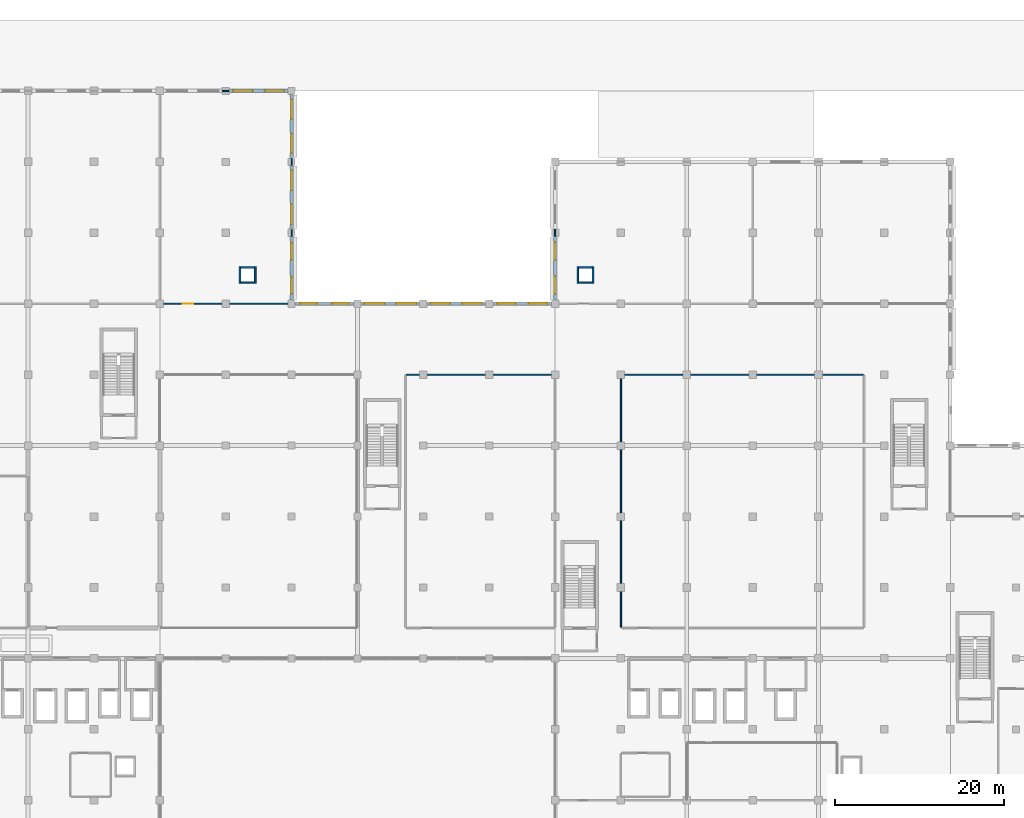
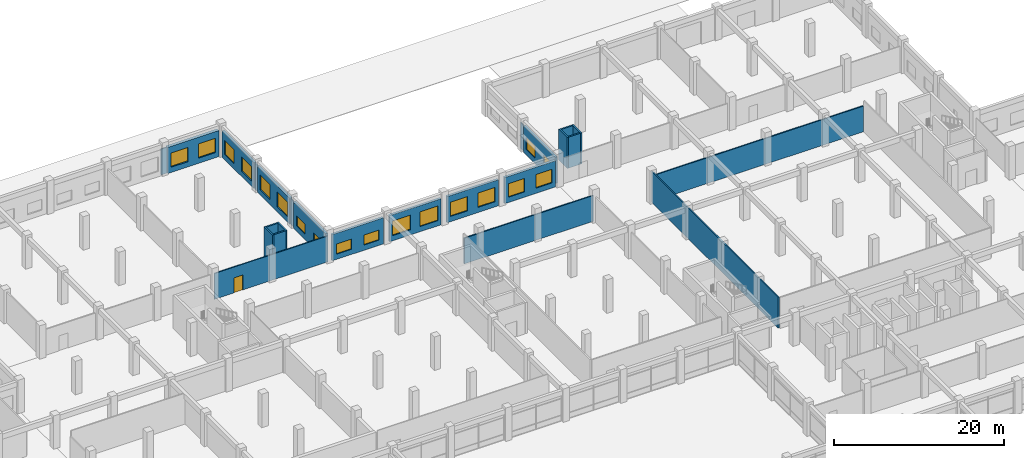
# One storey, part 54 of 74: 25 walls, 18 windows, 1 door, 19 openings.
"""IFC4 building model written with IfcOpenShell, lengths in metres."""

from ifc_helpers import new_model, si_unit, direction, frame, frame_2d, origin, place, context, subcontext, project, spatial, rectangle, extrude, material, layer, layer_set, type_object, element, fill, save


model = new_model("IFC4")

# Units and contexts
model_context = context("Model", 3, precision=1e-05, world=origin(), true_north=direction((0.0, 1.0)))
body_context = subcontext(model_context, "Body", "Model", "MODEL_VIEW")
ifc_project = project(units=[si_unit("LENGTHUNIT", "METRE"), si_unit("AREAUNIT", "SQUARE_METRE"), si_unit("VOLUMEUNIT", "CUBIC_METRE"), si_unit("PLANEANGLEUNIT", "RADIAN"), si_unit("MASSUNIT", "GRAM", prefix="KILO"), si_unit("THERMODYNAMICTEMPERATUREUNIT", "KELVIN"), si_unit("POWERUNIT", "WATT")], contexts=[model_context])

# Site, building, storey
site_placement = place(None, origin())
site = spatial("IfcSite", under=ifc_project, at=site_placement, CompositionType="ELEMENT")
building_placement = place(site_placement, origin())
building = spatial("IfcBuilding", under=site, at=building_placement, Name="Srebrne Nadtorze General Hospital", CompositionType="ELEMENT")
storey_placement = place(building_placement, origin())
storey = spatial("IfcBuildingStorey", under=building, at=storey_placement, Name="L00", CompositionType="ELEMENT", Elevation=0.0)

# Wall, openings, windows
ifc_material_1 = material(Name="Concrete C40/50", Category="concrete")
ifc_layer_1 = layer(ifc_material_1, 0.419921875)
ifc_layer_set_1 = layer_set([ifc_layer_1], Name="Concrete C40/50")
wall_type_1 = type_object("IfcWallType", Name="Acoustic buffer wall 420", PredefinedType="SOLIDWALL", material=ifc_layer_set_1)
wall_1_placement = place(storey_placement, frame((62.824951171875, 117.60009765625, 0.0), z_axis=(0.0, 0.0, 1.0), x_axis=(1.0, 0.0, 0.0)))
wall_1 = element("IfcWall", 1, at=wall_1_placement, inside=storey, type_object=wall_type_1, Name="Exterior wall WL-ENV-L00-0118", PredefinedType="SOLIDWALL", context=body_context, shape_type="SweptSolid", body=[
    extrude(rectangle(XDim=6.949951171875, YDim=0.419921875, at=frame_2d((3.47509765625, 0.0))), origin(), (0.0, 0.0, 1.0), 3.75),
])
opening_1_placement = place(wall_1_placement, frame((0.452880859375, 0.0, 0.75)))
opening_1 = element("IfcOpeningElement", 2, at=opening_1_placement, cuts=wall_1, Name="Opening WN-L00-0071", PredefinedType="OPENING", context=body_context, shape_type="SweptSolid", body=[
    extrude(rectangle(XDim=2.300048828125, YDim=2.050048828125, at=frame_2d((1.14990234375, 1.02490234375))), frame((0.0, 0.221923828125, 0.0), z_axis=(0.0, -1.0, 0.0), x_axis=(1.0, 0.0, 0.0)), (0.0, 0.0, 1.0), 0.44384765625),
])
opening_2_placement = place(wall_1_placement, frame((4.197021484375, 0.0, 0.75)))
opening_2 = element("IfcOpeningElement", 3, at=opening_2_placement, cuts=wall_1, Name="Opening WN-L00-0072", PredefinedType="OPENING", context=body_context, shape_type="SweptSolid", body=[
    extrude(rectangle(XDim=2.300048828125, YDim=2.050048828125, at=frame_2d((1.14990234375, 1.02490234375))), frame((0.0, 0.221923828125, 0.0), z_axis=(0.0, -1.0, 0.0), x_axis=(1.0, 0.0, 0.0)), (0.0, 0.0, 1.0), 0.44384765625),
])
ifc_material_2 = material(Name="Triple Low-E Glazing", Category="glass")
window_type_1 = type_object("IfcWindowType", Name="Punched clinical window 2300x2050", PartitioningType="DOUBLE_PANEL_VERTICAL", PredefinedType="WINDOW", material=ifc_material_2)
window_1_placement = place(opening_1_placement, origin())
window_1 = element("IfcWindow", 4, at=window_1_placement, inside=storey, type_object=window_type_1, Name="Clinical window WN-L00-0071", OverallHeight=2.050048828125, OverallWidth=2.300048828125, PartitioningType="DOUBLE_PANEL_VERTICAL", PredefinedType="WINDOW", context=body_context, shape_type="SweptSolid", body=[
    extrude(rectangle(XDim=2.300048828125, YDim=2.050048828125, at=frame_2d((1.14990234375, 1.02490234375))), frame((0.0, 0.030029296875, 0.0), z_axis=(0.0, -1.0, 0.0), x_axis=(1.0, 0.0, 0.0)), (0.0, 0.0, 1.0), 0.06005859375),
])
fill(opening_1, window_1)
window_2_placement = place(opening_2_placement, origin())
window_2 = element("IfcWindow", 5, at=window_2_placement, inside=storey, type_object=window_type_1, Name="Clinical window WN-L00-0072", OverallHeight=2.050048828125, OverallWidth=2.300048828125, PartitioningType="DOUBLE_PANEL_VERTICAL", PredefinedType="WINDOW", context=body_context, shape_type="SweptSolid", body=[
    extrude(rectangle(XDim=2.300048828125, YDim=2.050048828125, at=frame_2d((1.14990234375, 1.02490234375))), frame((0.0, 0.030029296875, 0.0), z_axis=(0.0, -1.0, 0.0), x_axis=(1.0, 0.0, 0.0)), (0.0, 0.0, 1.0), 0.06005859375),
])
fill(opening_2, window_2)

# Wall, opening, door
ifc_material_3 = material(Name="Gypsum Healthcare Partition")
ifc_layer_2 = layer(ifc_material_3, 0.139892578125)
ifc_layer_set_2 = layer_set([ifc_layer_2], Name="Gypsum Healthcare Partition")
wall_type_2 = type_object("IfcWallType", Name="Clinical partition 140", PredefinedType="PARTITIONING", material=ifc_layer_set_2)
wall_2_placement = place(storey_placement, frame((54.68505859375, 92.39990234375, 0.0), z_axis=(0.0, 0.0, 1.0), x_axis=(1.0, 0.0, 0.0)))
wall_2 = element("IfcWall", 6, at=wall_2_placement, inside=storey, type_object=wall_type_2, Name="Acute Medical Assessment Unit wall WL-INT-L00-1326", PredefinedType="PARTITIONING", context=body_context, shape_type="SweptSolid", body=[
    extrude(rectangle(XDim=15.429931640625, YDim=0.139892578125, at=frame_2d((7.71484375, 0.0))), origin(), (0.0, 0.0, 1.0), 3.699951171875),
])
opening_3_placement = place(wall_2_placement, frame((2.652587890625, 0.0, 0.0)))
opening_3 = element("IfcOpeningElement", 7, at=opening_3_placement, cuts=wall_2, Name="Opening D-L00-0197", PredefinedType="OPENING", context=body_context, shape_type="SweptSolid", body=[
    extrude(rectangle(XDim=1.199951171875, YDim=2.14990234375, at=frame_2d((0.60009765625, 1.074951171875))), frame((0.0, 0.08203125, 0.0), z_axis=(0.0, -1.0, 0.0), x_axis=(1.0, 0.0, 0.0)), (0.0, 0.0, 1.0), 0.163818359375),
])
ifc_material_4 = material(Name="Anodised Aluminium", Category="aluminium")
door_type = type_object("IfcDoorType", Name="Single leaf door 1200x2150", OperationType="NOTDEFINED", PredefinedType="DOOR", material=ifc_material_4)
door_placement = place(opening_3_placement, origin())
door = element("IfcDoor", 8, at=door_placement, inside=storey, type_object=door_type, Name="Acute Medical Assessment Unit door D-L00-0197", OperationType="SINGLE_SWING_LEFT", OverallHeight=2.14990234375, OverallWidth=1.199951171875, PredefinedType="DOOR", context=body_context, shape_type="SweptSolid", body=[
    extrude(rectangle(XDim=1.199951171875, YDim=2.14990234375, at=frame_2d((0.60009765625, 1.074951171875))), frame((0.0, 0.02490234375, 0.0), z_axis=(0.0, -1.0, 0.0), x_axis=(1.0, 0.0, 0.0)), (0.0, 0.0, 1.0), 0.050048828125),
])
fill(opening_3, door)

# Walls
for number, where, z_axis, x_axis, name in (
    (9, (62.014892578125, 117.60009765625, 0.0), (0.0, 0.0, 1.0), (1.0, 0.0, 0.0), "Acute Medical Assessment Unit wall WL-INT-L00-1327"),
    (10, (70.199951171875, 100.4150390625, 0.0), (0.0, 0.0, 1.0), (0.0, 1.0, 0.0), "Acute Medical Assessment Unit wall WL-INT-L00-1328"),
    (11, (70.199951171875, 108.81494140625, 0.0), (0.0, 0.0, 1.0), (0.0, 1.0, 0.0), "Acute Medical Assessment Unit wall WL-INT-L00-1329"),
):
    element("IfcWall", number, at=place(storey_placement, frame(where, z_axis=z_axis, x_axis=x_axis)), inside=storey, type_object=wall_type_2, Name=name, PredefinedType="PARTITIONING", context=body_context, shape_type="SweptSolid", body=[
        extrude(rectangle(XDim=0.77001953125, YDim=0.139892578125, at=frame_2d((0.385009765625, 0.0))), origin(), (0.0, 0.0, 1.0), 3.699951171875),
    ])
wall_3_placement = place(storey_placement, frame((101.39990234375, 100.389892578125, 0.0), z_axis=(0.0, 0.0, 1.0), x_axis=(0.0, 1.0, 0.0)))
element("IfcWall", 12, at=wall_3_placement, inside=storey, type_object=wall_type_2, Name="Central Goods Store wall WL-INT-L00-1341", PredefinedType="PARTITIONING", context=body_context, shape_type="SweptSolid", body=[
    extrude(rectangle(XDim=0.820068359375, YDim=0.139892578125, at=frame_2d((0.41015625, 0.0))), origin(), (0.0, 0.0, 1.0), 3.699951171875),
])
ifc_material_5 = material(Name="Gypsum Healthcare Partition")
ifc_layer_3 = layer(ifc_material_5, 0.159912109375)
ifc_layer_set_3 = layer_set([ifc_layer_3], Name="Gypsum Healthcare Partition")
wall_type_3 = type_object("IfcWallType", Name="Clinical partition 160", PredefinedType="PARTITIONING", material=ifc_layer_set_3)
wall_4_placement = place(storey_placement, frame((83.760009765625, 84.0, 0.0), z_axis=(0.0, 0.0, 1.0), x_axis=(1.0, 0.0, 0.0)))
element("IfcWall", 13, at=wall_4_placement, inside=storey, type_object=wall_type_3, Name="Emergency Plaster and Fracture Clinic wall WL-INT-L00-1335", PredefinedType="PARTITIONING", context=body_context, shape_type="SweptSolid", body=[
    extrude(rectangle(XDim=17.554931640625, YDim=0.159912109375, at=frame_2d((8.77734375, 0.0))), origin(), (0.0, 0.0, 1.0), 3.699951171875),
])
wall_5_placement = place(storey_placement, frame((109.284912109375, 84.0, 0.0), z_axis=(0.0, 0.0, 1.0), x_axis=(1.0, 0.0, 0.0)))
element("IfcWall", 14, at=wall_5_placement, inside=storey, type_object=wall_type_3, Name="Clinical Blood Bank and Transfusion wall WL-INT-L00-1348", PredefinedType="PARTITIONING", context=body_context, shape_type="SweptSolid", body=[
    extrude(rectangle(XDim=28.630126953125, YDim=0.159912109375, at=frame_2d((14.31494140625, 0.0))), origin(), (0.0, 0.0, 1.0), 3.699951171875),
])
wall_6_placement = place(storey_placement, frame((109.199951171875, 54.0849609375, 0.0), z_axis=(0.0, 0.0, 1.0), x_axis=(0.0, 1.0, 0.0)))
element("IfcWall", 15, at=wall_6_placement, inside=storey, type_object=wall_type_3, Name="Clinical Blood Bank and Transfusion wall WL-INT-L00-1349", PredefinedType="PARTITIONING", context=body_context, shape_type="SweptSolid", body=[
    extrude(rectangle(XDim=29.830078125, YDim=0.159912109375, at=frame_2d((14.9150390625, 0.0))), origin(), (0.0, 0.0, 1.0), 4.429931640625),
])
ifc_material_6 = material(Name="Gypsum Healthcare Partition")
ifc_layer_4 = layer(ifc_material_6, 0.199951171875)
ifc_layer_set_4 = layer_set([ifc_layer_4], Name="Gypsum Healthcare Partition")
wall_type_4 = type_object("IfcWallType", Name="Compartment wall 200", PredefinedType="STANDARD", material=ifc_layer_set_4)
for number, where, z_axis, x_axis, name in (
    (16, (64.10009765625, 94.800048828125, 0.0), (0.0, 0.0, 1.0), (0.0, 1.0, 0.0), "MEP riser wall WL-INT-L00-0920"),
    (17, (65.89990234375, 94.800048828125, 0.0), (0.0, 0.0, 1.0), (0.0, 1.0, 0.0), "MEP riser wall WL-INT-L00-0921"),
):
    element("IfcWall", number, at=place(storey_placement, frame(where, z_axis=z_axis, x_axis=x_axis)), inside=storey, type_object=wall_type_4, Name=name, PredefinedType="STANDARD", context=body_context, shape_type="SweptSolid", body=[
        extrude(rectangle(XDim=2.0, YDim=0.199951171875, at=frame_2d((1.0, 0.0))), origin(), (0.0, 0.0, 1.0), 4.449951171875),
    ])
for number, where, z_axis, x_axis, name in (
    (18, (64.199951171875, 94.89990234375, 0.0), (0.0, 0.0, 1.0), (1.0, 0.0, 0.0), "MEP riser wall WL-INT-L00-0922"),
    (19, (64.199951171875, 96.699951171875, 0.0), (0.0, 0.0, 1.0), (1.0, 0.0, 0.0), "MEP riser wall WL-INT-L00-0923"),
):
    element("IfcWall", number, at=place(storey_placement, frame(where, z_axis=z_axis, x_axis=x_axis)), inside=storey, type_object=wall_type_4, Name=name, PredefinedType="STANDARD", context=body_context, shape_type="SweptSolid", body=[
        extrude(rectangle(XDim=1.60009765625, YDim=0.199951171875, at=frame_2d((0.800048828125, 0.0))), origin(), (0.0, 0.0, 1.0), 4.449951171875),
    ])
for number, where, z_axis, x_axis, name in (
    (20, (104.10009765625, 94.800048828125, 0.0), (0.0, 0.0, 1.0), (0.0, 1.0, 0.0), "MEP riser wall WL-INT-L00-0924"),
    (21, (105.89990234375, 94.800048828125, 0.0), (0.0, 0.0, 1.0), (0.0, 1.0, 0.0), "MEP riser wall WL-INT-L00-0925"),
):
    element("IfcWall", number, at=place(storey_placement, frame(where, z_axis=z_axis, x_axis=x_axis)), inside=storey, type_object=wall_type_4, Name=name, PredefinedType="STANDARD", context=body_context, shape_type="SweptSolid", body=[
        extrude(rectangle(XDim=2.0, YDim=0.199951171875, at=frame_2d((1.0, 0.0))), origin(), (0.0, 0.0, 1.0), 4.449951171875),
    ])
for number, where, z_axis, x_axis, name in (
    (22, (104.199951171875, 94.89990234375, 0.0), (0.0, 0.0, 1.0), (1.0, 0.0, 0.0), "MEP riser wall WL-INT-L00-0926"),
    (23, (104.199951171875, 96.699951171875, 0.0), (0.0, 0.0, 1.0), (1.0, 0.0, 0.0), "MEP riser wall WL-INT-L00-0927"),
):
    element("IfcWall", number, at=place(storey_placement, frame(where, z_axis=z_axis, x_axis=x_axis)), inside=storey, type_object=wall_type_4, Name=name, PredefinedType="STANDARD", context=body_context, shape_type="SweptSolid", body=[
        extrude(rectangle(XDim=1.60009765625, YDim=0.199951171875, at=frame_2d((0.800048828125, 0.0))), origin(), (0.0, 0.0, 1.0), 4.449951171875),
    ])

# Wall, openings, windows
ifc_material_7 = material(Name="Concrete C35/45", Category="concrete")
ifc_layer_5 = layer(ifc_material_7, 0.320068359375)
ifc_layer_set_5 = layer_set([ifc_layer_5], Name="Concrete C35/45")
wall_type_5 = type_object("IfcWallType", Name="Spandrel wall 320", PredefinedType="STANDARD", material=ifc_layer_set_5)
wall_7_placement = place(storey_placement, frame((70.625, 92.39990234375, 0.0), z_axis=(0.0, 0.0, 1.0), x_axis=(1.0, 0.0, 0.0)))
wall_7 = element("IfcWall", 24, at=wall_7_placement, inside=storey, type_object=wall_type_5, Name="Exterior wall WL-ENV-L00-0103", PredefinedType="STANDARD", context=body_context, shape_type="SweptSolid", body=[
    extrude(rectangle(XDim=6.949951171875, YDim=0.320068359375, at=frame_2d((3.47509765625, 0.0))), origin(), (0.0, 0.0, 1.0), 3.75),
])
opening_4_placement = place(wall_7_placement, frame((0.60302734375, 0.0, 0.75)))
opening_4 = element("IfcOpeningElement", 25, at=opening_4_placement, cuts=wall_7, Name="Opening WN-L00-0053", PredefinedType="OPENING", context=body_context, shape_type="SweptSolid", body=[
    extrude(rectangle(XDim=2.0, YDim=1.449951171875, at=frame_2d((1.0, 0.72509765625))), frame((0.0, 0.171875, 0.0), z_axis=(0.0, -1.0, 0.0), x_axis=(1.0, 0.0, 0.0)), (0.0, 0.0, 1.0), 0.343994140625),
])
opening_5_placement = place(wall_7_placement, frame((4.346923828125, 0.0, 0.75)))
opening_5 = element("IfcOpeningElement", 26, at=opening_5_placement, cuts=wall_7, Name="Opening WN-L00-0054", PredefinedType="OPENING", context=body_context, shape_type="SweptSolid", body=[
    extrude(rectangle(XDim=2.0, YDim=1.449951171875, at=frame_2d((1.0, 0.72509765625))), frame((0.0, 0.171875, 0.0), z_axis=(0.0, -1.0, 0.0), x_axis=(1.0, 0.0, 0.0)), (0.0, 0.0, 1.0), 0.343994140625),
])
ifc_material_8 = material(Name="Triple Low-E Glazing", Category="glass")
window_type_2 = type_object("IfcWindowType", Name="Punched clinical window 2000x1450", PartitioningType="DOUBLE_PANEL_VERTICAL", PredefinedType="WINDOW", material=ifc_material_8)
window_3_placement = place(opening_4_placement, origin())
window_3 = element("IfcWindow", 27, at=window_3_placement, inside=storey, type_object=window_type_2, Name="Clinical window WN-L00-0053", OverallHeight=1.449951171875, OverallWidth=2.0, PartitioningType="DOUBLE_PANEL_VERTICAL", PredefinedType="WINDOW", context=body_context, shape_type="SweptSolid", body=[
    extrude(rectangle(XDim=2.0, YDim=1.449951171875, at=frame_2d((1.0, 0.72509765625))), frame((0.0, 0.030029296875, 0.0), z_axis=(0.0, -1.0, 0.0), x_axis=(1.0, 0.0, 0.0)), (0.0, 0.0, 1.0), 0.06005859375),
])
fill(opening_4, window_3)
window_4_placement = place(opening_5_placement, origin())
window_4 = element("IfcWindow", 28, at=window_4_placement, inside=storey, type_object=window_type_2, Name="Clinical window WN-L00-0054", OverallHeight=1.449951171875, OverallWidth=2.0, PartitioningType="DOUBLE_PANEL_VERTICAL", PredefinedType="WINDOW", context=body_context, shape_type="SweptSolid", body=[
    extrude(rectangle(XDim=2.0, YDim=1.449951171875, at=frame_2d((1.0, 0.72509765625))), frame((0.0, 0.030029296875, 0.0), z_axis=(0.0, -1.0, 0.0), x_axis=(1.0, 0.0, 0.0)), (0.0, 0.0, 1.0), 0.06005859375),
])
fill(opening_5, window_4)

wall_8_placement = place(storey_placement, frame((78.425048828125, 92.39990234375, 0.0), z_axis=(0.0, 0.0, 1.0), x_axis=(1.0, 0.0, 0.0)))
wall_8 = element("IfcWall", 29, at=wall_8_placement, inside=storey, type_object=wall_type_5, Name="Exterior wall WL-ENV-L00-0104", PredefinedType="STANDARD", context=body_context, shape_type="SweptSolid", body=[
    extrude(rectangle(XDim=6.949951171875, YDim=0.320068359375, at=frame_2d((3.47509765625, 0.0))), origin(), (0.0, 0.0, 1.0), 3.75),
])
opening_6_placement = place(wall_8_placement, frame((0.403076171875, 0.0, 0.75)))
opening_6 = element("IfcOpeningElement", 30, at=opening_6_placement, cuts=wall_8, Name="Opening WN-L00-0055", PredefinedType="OPENING", context=body_context, shape_type="SweptSolid", body=[
    extrude(rectangle(XDim=2.39990234375, YDim=2.10009765625, at=frame_2d((1.199951171875, 1.050048828125))), frame((0.0, 0.171875, 0.0), z_axis=(0.0, -1.0, 0.0), x_axis=(1.0, 0.0, 0.0)), (0.0, 0.0, 1.0), 0.343994140625),
])
opening_7_placement = place(wall_8_placement, frame((4.14697265625, 0.0, 0.75)))
opening_7 = element("IfcOpeningElement", 31, at=opening_7_placement, cuts=wall_8, Name="Opening WN-L00-0056", PredefinedType="OPENING", context=body_context, shape_type="SweptSolid", body=[
    extrude(rectangle(XDim=2.39990234375, YDim=2.10009765625, at=frame_2d((1.199951171875, 1.050048828125))), frame((0.0, 0.171875, 0.0), z_axis=(0.0, -1.0, 0.0), x_axis=(1.0, 0.0, 0.0)), (0.0, 0.0, 1.0), 0.343994140625),
])
ifc_material_9 = material(Name="Triple Low-E Glazing", Category="glass")
window_type_3 = type_object("IfcWindowType", Name="Punched clinical window 2400x2100", PartitioningType="DOUBLE_PANEL_VERTICAL", PredefinedType="WINDOW", material=ifc_material_9)
window_5_placement = place(opening_6_placement, origin())
window_5 = element("IfcWindow", 32, at=window_5_placement, inside=storey, type_object=window_type_3, Name="Clinical window WN-L00-0055", OverallHeight=2.10009765625, OverallWidth=2.39990234375, PartitioningType="DOUBLE_PANEL_VERTICAL", PredefinedType="WINDOW", context=body_context, shape_type="SweptSolid", body=[
    extrude(rectangle(XDim=2.39990234375, YDim=2.10009765625, at=frame_2d((1.199951171875, 1.050048828125))), frame((0.0, 0.030029296875, 0.0), z_axis=(0.0, -1.0, 0.0), x_axis=(1.0, 0.0, 0.0)), (0.0, 0.0, 1.0), 0.06005859375),
])
fill(opening_6, window_5)
window_6_placement = place(opening_7_placement, origin())
window_6 = element("IfcWindow", 33, at=window_6_placement, inside=storey, type_object=window_type_3, Name="Clinical window WN-L00-0056", OverallHeight=2.10009765625, OverallWidth=2.39990234375, PartitioningType="DOUBLE_PANEL_VERTICAL", PredefinedType="WINDOW", context=body_context, shape_type="SweptSolid", body=[
    extrude(rectangle(XDim=2.39990234375, YDim=2.10009765625, at=frame_2d((1.199951171875, 1.050048828125))), frame((0.0, 0.030029296875, 0.0), z_axis=(0.0, -1.0, 0.0), x_axis=(1.0, 0.0, 0.0)), (0.0, 0.0, 1.0), 0.06005859375),
])
fill(opening_7, window_6)

wall_9_placement = place(storey_placement, frame((86.22509765625, 92.39990234375, 0.0), z_axis=(0.0, 0.0, 1.0), x_axis=(1.0, 0.0, 0.0)))
wall_9 = element("IfcWall", 34, at=wall_9_placement, inside=storey, type_object=wall_type_5, Name="Exterior wall WL-ENV-L00-0105", PredefinedType="STANDARD", context=body_context, shape_type="SweptSolid", body=[
    extrude(rectangle(XDim=6.949951171875, YDim=0.320068359375, at=frame_2d((3.47509765625, 0.0))), origin(), (0.0, 0.0, 1.0), 3.75),
])
opening_8_placement = place(wall_9_placement, frame((0.452880859375, 0.0, 0.75)))
opening_8 = element("IfcOpeningElement", 35, at=opening_8_placement, cuts=wall_9, Name="Opening WN-L00-0057", PredefinedType="OPENING", context=body_context, shape_type="SweptSolid", body=[
    extrude(rectangle(XDim=2.300048828125, YDim=2.050048828125, at=frame_2d((1.14990234375, 1.02490234375))), frame((0.0, 0.171875, 0.0), z_axis=(0.0, -1.0, 0.0), x_axis=(1.0, 0.0, 0.0)), (0.0, 0.0, 1.0), 0.343994140625),
])
opening_9_placement = place(wall_9_placement, frame((4.197021484375, 0.0, 0.75)))
opening_9 = element("IfcOpeningElement", 36, at=opening_9_placement, cuts=wall_9, Name="Opening WN-L00-0058", PredefinedType="OPENING", context=body_context, shape_type="SweptSolid", body=[
    extrude(rectangle(XDim=2.300048828125, YDim=2.050048828125, at=frame_2d((1.14990234375, 1.02490234375))), frame((0.0, 0.171875, 0.0), z_axis=(0.0, -1.0, 0.0), x_axis=(1.0, 0.0, 0.0)), (0.0, 0.0, 1.0), 0.343994140625),
])
window_7_placement = place(opening_8_placement, origin())
window_7 = element("IfcWindow", 37, at=window_7_placement, inside=storey, type_object=window_type_1, Name="Clinical window WN-L00-0057", OverallHeight=2.050048828125, OverallWidth=2.300048828125, PartitioningType="DOUBLE_PANEL_VERTICAL", PredefinedType="WINDOW", context=body_context, shape_type="SweptSolid", body=[
    extrude(rectangle(XDim=2.300048828125, YDim=2.050048828125, at=frame_2d((1.14990234375, 1.02490234375))), frame((0.0, 0.030029296875, 0.0), z_axis=(0.0, -1.0, 0.0), x_axis=(1.0, 0.0, 0.0)), (0.0, 0.0, 1.0), 0.06005859375),
])
fill(opening_8, window_7)
window_8_placement = place(opening_9_placement, origin())
window_8 = element("IfcWindow", 38, at=window_8_placement, inside=storey, type_object=window_type_1, Name="Clinical window WN-L00-0058", OverallHeight=2.050048828125, OverallWidth=2.300048828125, PartitioningType="DOUBLE_PANEL_VERTICAL", PredefinedType="WINDOW", context=body_context, shape_type="SweptSolid", body=[
    extrude(rectangle(XDim=2.300048828125, YDim=2.050048828125, at=frame_2d((1.14990234375, 1.02490234375))), frame((0.0, 0.030029296875, 0.0), z_axis=(0.0, -1.0, 0.0), x_axis=(1.0, 0.0, 0.0)), (0.0, 0.0, 1.0), 0.06005859375),
])
fill(opening_9, window_8)

wall_10_placement = place(storey_placement, frame((94.02490234375, 92.39990234375, 0.0), z_axis=(0.0, 0.0, 1.0), x_axis=(1.0, 0.0, 0.0)))
wall_10 = element("IfcWall", 39, at=wall_10_placement, inside=storey, type_object=wall_type_5, Name="Exterior wall WL-ENV-L00-0106", PredefinedType="STANDARD", context=body_context, shape_type="SweptSolid", body=[
    extrude(rectangle(XDim=6.925048828125, YDim=0.320068359375, at=frame_2d((3.46240234375, 0.0))), origin(), (0.0, 0.0, 1.0), 3.75),
])
opening_10_placement = place(wall_10_placement, frame((0.5029296875, 0.0, 0.75)))
opening_10 = element("IfcOpeningElement", 40, at=opening_10_placement, cuts=wall_10, Name="Opening WN-L00-0059", PredefinedType="OPENING", context=body_context, shape_type="SweptSolid", body=[
    extrude(rectangle(XDim=2.199951171875, YDim=1.949951171875, at=frame_2d((1.10009765625, 0.97509765625))), frame((0.0, 0.171875, 0.0), z_axis=(0.0, -1.0, 0.0), x_axis=(1.0, 0.0, 0.0)), (0.0, 0.0, 1.0), 0.343994140625),
])
opening_11_placement = place(wall_10_placement, frame((4.2470703125, 0.0, 0.75)))
opening_11 = element("IfcOpeningElement", 41, at=opening_11_placement, cuts=wall_10, Name="Opening WN-L00-0060", PredefinedType="OPENING", context=body_context, shape_type="SweptSolid", body=[
    extrude(rectangle(XDim=2.199951171875, YDim=1.949951171875, at=frame_2d((1.10009765625, 0.97509765625))), frame((0.0, 0.171875, 0.0), z_axis=(0.0, -1.0, 0.0), x_axis=(1.0, 0.0, 0.0)), (0.0, 0.0, 1.0), 0.343994140625),
])
ifc_material_10 = material(Name="Triple Low-E Glazing", Category="glass")
window_type_4 = type_object("IfcWindowType", Name="Punched clinical window 2200x1950", PartitioningType="DOUBLE_PANEL_VERTICAL", PredefinedType="WINDOW", material=ifc_material_10)
window_9_placement = place(opening_10_placement, origin())
window_9 = element("IfcWindow", 42, at=window_9_placement, inside=storey, type_object=window_type_4, Name="Clinical window WN-L00-0059", OverallHeight=1.949951171875, OverallWidth=2.199951171875, PartitioningType="DOUBLE_PANEL_VERTICAL", PredefinedType="WINDOW", context=body_context, shape_type="SweptSolid", body=[
    extrude(rectangle(XDim=2.199951171875, YDim=1.949951171875, at=frame_2d((1.10009765625, 0.97509765625))), frame((0.0, 0.030029296875, 0.0), z_axis=(0.0, -1.0, 0.0), x_axis=(1.0, 0.0, 0.0)), (0.0, 0.0, 1.0), 0.06005859375),
])
fill(opening_10, window_9)
window_10_placement = place(opening_11_placement, origin())
window_10 = element("IfcWindow", 43, at=window_10_placement, inside=storey, type_object=window_type_4, Name="Clinical window WN-L00-0060", OverallHeight=1.949951171875, OverallWidth=2.199951171875, PartitioningType="DOUBLE_PANEL_VERTICAL", PredefinedType="WINDOW", context=body_context, shape_type="SweptSolid", body=[
    extrude(rectangle(XDim=2.199951171875, YDim=1.949951171875, at=frame_2d((1.10009765625, 0.97509765625))), frame((0.0, 0.030029296875, 0.0), z_axis=(0.0, -1.0, 0.0), x_axis=(1.0, 0.0, 0.0)), (0.0, 0.0, 1.0), 0.06005859375),
])
fill(opening_11, window_10)

wall_11_placement = place(storey_placement, frame((70.199951171875, 92.824951171875, 0.0), z_axis=(0.0, 0.0, 1.0), x_axis=(0.0, 1.0, 0.0)))
wall_11 = element("IfcWall", 44, at=wall_11_placement, inside=storey, type_object=wall_type_5, Name="Exterior wall WL-ENV-L00-0133", PredefinedType="STANDARD", context=body_context, shape_type="SweptSolid", body=[
    extrude(rectangle(XDim=7.550048828125, YDim=0.320068359375, at=frame_2d((3.77490234375, 0.0))), origin(), (0.0, 0.0, 1.0), 3.75),
])
opening_12_placement = place(wall_11_placement, frame((0.759033203125, 0.0, 0.75)))
opening_12 = element("IfcOpeningElement", 45, at=opening_12_placement, cuts=wall_11, Name="Opening WN-L00-0086", PredefinedType="OPENING", context=body_context, shape_type="SweptSolid", body=[
    extrude(rectangle(XDim=2.0, YDim=1.449951171875, at=frame_2d((1.0, 0.72509765625))), frame((0.0, 0.171875, 0.0), z_axis=(0.0, -1.0, 0.0), x_axis=(1.0, 0.0, 0.0)), (0.0, 0.0, 1.0), 0.343994140625),
])
opening_13_placement = place(wall_11_placement, frame((4.791015625, 0.0, 0.75)))
opening_13 = element("IfcOpeningElement", 46, at=opening_13_placement, cuts=wall_11, Name="Opening WN-L00-0087", PredefinedType="OPENING", context=body_context, shape_type="SweptSolid", body=[
    extrude(rectangle(XDim=2.0, YDim=1.449951171875, at=frame_2d((1.0, 0.72509765625))), frame((0.0, 0.171875, 0.0), z_axis=(0.0, -1.0, 0.0), x_axis=(1.0, 0.0, 0.0)), (0.0, 0.0, 1.0), 0.343994140625),
])
window_11_placement = place(opening_12_placement, origin())
window_11 = element("IfcWindow", 47, at=window_11_placement, inside=storey, type_object=window_type_2, Name="Clinical window WN-L00-0086", OverallHeight=1.449951171875, OverallWidth=2.0, PartitioningType="DOUBLE_PANEL_VERTICAL", PredefinedType="WINDOW", context=body_context, shape_type="SweptSolid", body=[
    extrude(rectangle(XDim=2.0, YDim=1.449951171875, at=frame_2d((1.0, 0.72509765625))), frame((0.0, 0.030029296875, 0.0), z_axis=(0.0, -1.0, 0.0), x_axis=(1.0, 0.0, 0.0)), (0.0, 0.0, 1.0), 0.06005859375),
])
fill(opening_12, window_11)
window_12_placement = place(opening_13_placement, origin())
window_12 = element("IfcWindow", 48, at=window_12_placement, inside=storey, type_object=window_type_2, Name="Clinical window WN-L00-0087", OverallHeight=1.449951171875, OverallWidth=2.0, PartitioningType="DOUBLE_PANEL_VERTICAL", PredefinedType="WINDOW", context=body_context, shape_type="SweptSolid", body=[
    extrude(rectangle(XDim=2.0, YDim=1.449951171875, at=frame_2d((1.0, 0.72509765625))), frame((0.0, 0.030029296875, 0.0), z_axis=(0.0, -1.0, 0.0), x_axis=(1.0, 0.0, 0.0)), (0.0, 0.0, 1.0), 0.06005859375),
])
fill(opening_13, window_12)

wall_12_placement = place(storey_placement, frame((70.199951171875, 101.22509765625, 0.0), z_axis=(0.0, 0.0, 1.0), x_axis=(0.0, 1.0, 0.0)))
wall_12 = element("IfcWall", 49, at=wall_12_placement, inside=storey, type_object=wall_type_5, Name="Exterior wall WL-ENV-L00-0134", PredefinedType="STANDARD", context=body_context, shape_type="SweptSolid", body=[
    extrude(rectangle(XDim=7.5498046875, YDim=0.320068359375, at=frame_2d((3.77490234375, 0.0))), origin(), (0.0, 0.0, 1.0), 3.75),
])
opening_14_placement = place(wall_12_placement, frame((0.55908203125, 0.0, 0.75)))
opening_14 = element("IfcOpeningElement", 50, at=opening_14_placement, cuts=wall_12, Name="Opening WN-L00-0088", PredefinedType="OPENING", context=body_context, shape_type="SweptSolid", body=[
    extrude(rectangle(XDim=2.39990234375, YDim=2.10009765625, at=frame_2d((1.199951171875, 1.050048828125))), frame((0.0, 0.171875, 0.0), z_axis=(0.0, -1.0, 0.0), x_axis=(1.0, 0.0, 0.0)), (0.0, 0.0, 1.0), 0.343994140625),
])
opening_15_placement = place(wall_12_placement, frame((4.591064453125, 0.0, 0.75)))
opening_15 = element("IfcOpeningElement", 51, at=opening_15_placement, cuts=wall_12, Name="Opening WN-L00-0089", PredefinedType="OPENING", context=body_context, shape_type="SweptSolid", body=[
    extrude(rectangle(XDim=2.39990234375, YDim=2.10009765625, at=frame_2d((1.199951171875, 1.050048828125))), frame((0.0, 0.171875, 0.0), z_axis=(0.0, -1.0, 0.0), x_axis=(1.0, 0.0, 0.0)), (0.0, 0.0, 1.0), 0.343994140625),
])
window_13_placement = place(opening_14_placement, origin())
window_13 = element("IfcWindow", 52, at=window_13_placement, inside=storey, type_object=window_type_3, Name="Clinical window WN-L00-0088", OverallHeight=2.10009765625, OverallWidth=2.39990234375, PartitioningType="DOUBLE_PANEL_VERTICAL", PredefinedType="WINDOW", context=body_context, shape_type="SweptSolid", body=[
    extrude(rectangle(XDim=2.39990234375, YDim=2.10009765625, at=frame_2d((1.199951171875, 1.050048828125))), frame((0.0, 0.030029296875, 0.0), z_axis=(0.0, -1.0, 0.0), x_axis=(1.0, 0.0, 0.0)), (0.0, 0.0, 1.0), 0.06005859375),
])
fill(opening_14, window_13)
window_14_placement = place(opening_15_placement, origin())
window_14 = element("IfcWindow", 53, at=window_14_placement, inside=storey, type_object=window_type_3, Name="Clinical window WN-L00-0089", OverallHeight=2.10009765625, OverallWidth=2.39990234375, PartitioningType="DOUBLE_PANEL_VERTICAL", PredefinedType="WINDOW", context=body_context, shape_type="SweptSolid", body=[
    extrude(rectangle(XDim=2.39990234375, YDim=2.10009765625, at=frame_2d((1.199951171875, 1.050048828125))), frame((0.0, 0.030029296875, 0.0), z_axis=(0.0, -1.0, 0.0), x_axis=(1.0, 0.0, 0.0)), (0.0, 0.0, 1.0), 0.06005859375),
])
fill(opening_15, window_14)

wall_13_placement = place(storey_placement, frame((70.199951171875, 109.625, 0.0), z_axis=(0.0, 0.0, 1.0), x_axis=(0.0, 1.0, 0.0)))
wall_13 = element("IfcWall", 54, at=wall_13_placement, inside=storey, type_object=wall_type_5, Name="Exterior wall WL-ENV-L00-0135", PredefinedType="STANDARD", context=body_context, shape_type="SweptSolid", body=[
    extrude(rectangle(XDim=7.550048828125, YDim=0.320068359375, at=frame_2d((3.77490234375, 0.0))), origin(), (0.0, 0.0, 1.0), 3.75),
])
opening_16_placement = place(wall_13_placement, frame((0.60888671875, 0.0, 0.75)))
opening_16 = element("IfcOpeningElement", 55, at=opening_16_placement, cuts=wall_13, Name="Opening WN-L00-0090", PredefinedType="OPENING", context=body_context, shape_type="SweptSolid", body=[
    extrude(rectangle(XDim=2.300048828125, YDim=2.050048828125, at=frame_2d((1.14990234375, 1.02490234375))), frame((0.0, 0.171875, 0.0), z_axis=(0.0, -1.0, 0.0), x_axis=(1.0, 0.0, 0.0)), (0.0, 0.0, 1.0), 0.343994140625),
])
opening_17_placement = place(wall_13_placement, frame((4.64111328125, 0.0, 0.75)))
opening_17 = element("IfcOpeningElement", 56, at=opening_17_placement, cuts=wall_13, Name="Opening WN-L00-0091", PredefinedType="OPENING", context=body_context, shape_type="SweptSolid", body=[
    extrude(rectangle(XDim=2.300048828125, YDim=2.050048828125, at=frame_2d((1.14990234375, 1.02490234375))), frame((0.0, 0.171875, 0.0), z_axis=(0.0, -1.0, 0.0), x_axis=(1.0, 0.0, 0.0)), (0.0, 0.0, 1.0), 0.343994140625),
])
window_15_placement = place(opening_16_placement, origin())
window_15 = element("IfcWindow", 57, at=window_15_placement, inside=storey, type_object=window_type_1, Name="Clinical window WN-L00-0090", OverallHeight=2.050048828125, OverallWidth=2.300048828125, PartitioningType="DOUBLE_PANEL_VERTICAL", PredefinedType="WINDOW", context=body_context, shape_type="SweptSolid", body=[
    extrude(rectangle(XDim=2.300048828125, YDim=2.050048828125, at=frame_2d((1.14990234375, 1.02490234375))), frame((0.0, 0.030029296875, 0.0), z_axis=(0.0, -1.0, 0.0), x_axis=(1.0, 0.0, 0.0)), (0.0, 0.0, 1.0), 0.06005859375),
])
fill(opening_16, window_15)
window_16_placement = place(opening_17_placement, origin())
window_16 = element("IfcWindow", 58, at=window_16_placement, inside=storey, type_object=window_type_1, Name="Clinical window WN-L00-0091", OverallHeight=2.050048828125, OverallWidth=2.300048828125, PartitioningType="DOUBLE_PANEL_VERTICAL", PredefinedType="WINDOW", context=body_context, shape_type="SweptSolid", body=[
    extrude(rectangle(XDim=2.300048828125, YDim=2.050048828125, at=frame_2d((1.14990234375, 1.02490234375))), frame((0.0, 0.030029296875, 0.0), z_axis=(0.0, -1.0, 0.0), x_axis=(1.0, 0.0, 0.0)), (0.0, 0.0, 1.0), 0.06005859375),
])
fill(opening_17, window_16)

wall_14_placement = place(storey_placement, frame((101.39990234375, 92.85009765625, 0.0), z_axis=(0.0, 0.0, 1.0), x_axis=(0.0, 1.0, 0.0)))
wall_14 = element("IfcWall", 59, at=wall_14_placement, inside=storey, type_object=wall_type_5, Name="Exterior wall WL-ENV-L00-0136", PredefinedType="STANDARD", context=body_context, shape_type="SweptSolid", body=[
    extrude(rectangle(XDim=7.5, YDim=0.320068359375, at=frame_2d((3.75, 0.0))), origin(), (0.0, 0.0, 1.0), 3.75),
])
opening_18_placement = place(wall_14_placement, frame((0.68408203125, 0.0, 0.75)))
opening_18 = element("IfcOpeningElement", 60, at=opening_18_placement, cuts=wall_14, Name="Opening WN-L00-0092", PredefinedType="OPENING", context=body_context, shape_type="SweptSolid", body=[
    extrude(rectangle(XDim=2.10009765625, YDim=1.75, at=frame_2d((1.050048828125, 0.875))), frame((0.0, 0.171875, 0.0), z_axis=(0.0, -1.0, 0.0), x_axis=(1.0, 0.0, 0.0)), (0.0, 0.0, 1.0), 0.343994140625),
])
opening_19_placement = place(wall_14_placement, frame((4.716064453125, 0.0, 0.75)))
opening_19 = element("IfcOpeningElement", 61, at=opening_19_placement, cuts=wall_14, Name="Opening WN-L00-0093", PredefinedType="OPENING", context=body_context, shape_type="SweptSolid", body=[
    extrude(rectangle(XDim=2.10009765625, YDim=1.75, at=frame_2d((1.050048828125, 0.875))), frame((0.0, 0.171875, 0.0), z_axis=(0.0, -1.0, 0.0), x_axis=(1.0, 0.0, 0.0)), (0.0, 0.0, 1.0), 0.343994140625),
])
ifc_material_11 = material(Name="Triple Low-E Glazing", Category="glass")
window_type_5 = type_object("IfcWindowType", Name="Punched clinical window 2100x1750", PartitioningType="DOUBLE_PANEL_VERTICAL", PredefinedType="WINDOW", material=ifc_material_11)
window_17_placement = place(opening_18_placement, origin())
window_17 = element("IfcWindow", 62, at=window_17_placement, inside=storey, type_object=window_type_5, Name="Clinical window WN-L00-0092", OverallHeight=1.75, OverallWidth=2.10009765625, PartitioningType="DOUBLE_PANEL_VERTICAL", PredefinedType="WINDOW", context=body_context, shape_type="SweptSolid", body=[
    extrude(rectangle(XDim=2.10009765625, YDim=1.75, at=frame_2d((1.050048828125, 0.875))), frame((0.0, 0.030029296875, 0.0), z_axis=(0.0, -1.0, 0.0), x_axis=(1.0, 0.0, 0.0)), (0.0, 0.0, 1.0), 0.06005859375),
])
fill(opening_18, window_17)
window_18_placement = place(opening_19_placement, origin())
window_18 = element("IfcWindow", 63, at=window_18_placement, inside=storey, type_object=window_type_5, Name="Clinical window WN-L00-0093", OverallHeight=1.75, OverallWidth=2.10009765625, PartitioningType="DOUBLE_PANEL_VERTICAL", PredefinedType="WINDOW", context=body_context, shape_type="SweptSolid", body=[
    extrude(rectangle(XDim=2.10009765625, YDim=1.75, at=frame_2d((1.050048828125, 0.875))), frame((0.0, 0.030029296875, 0.0), z_axis=(0.0, -1.0, 0.0), x_axis=(1.0, 0.0, 0.0)), (0.0, 0.0, 1.0), 0.06005859375),
])
fill(opening_19, window_18)

save(model, "model.ifc")
